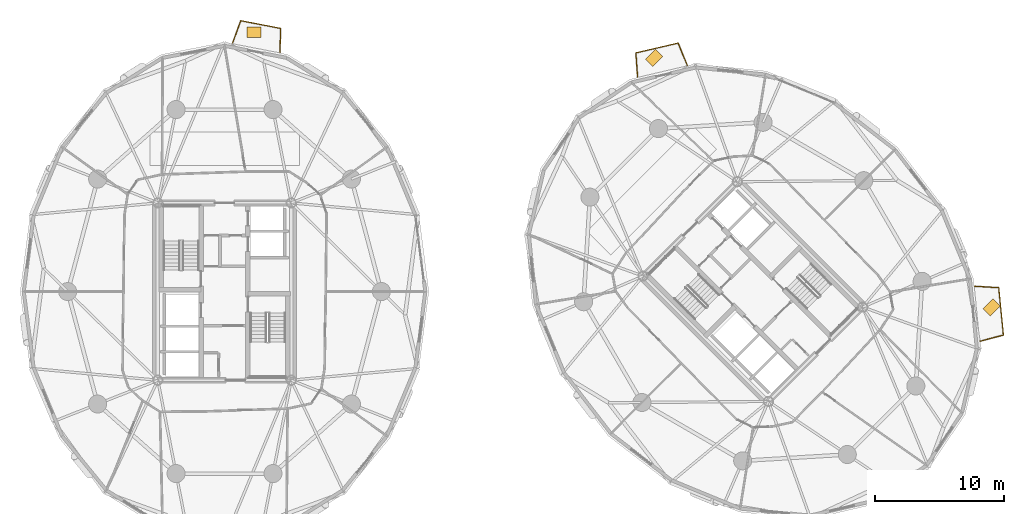
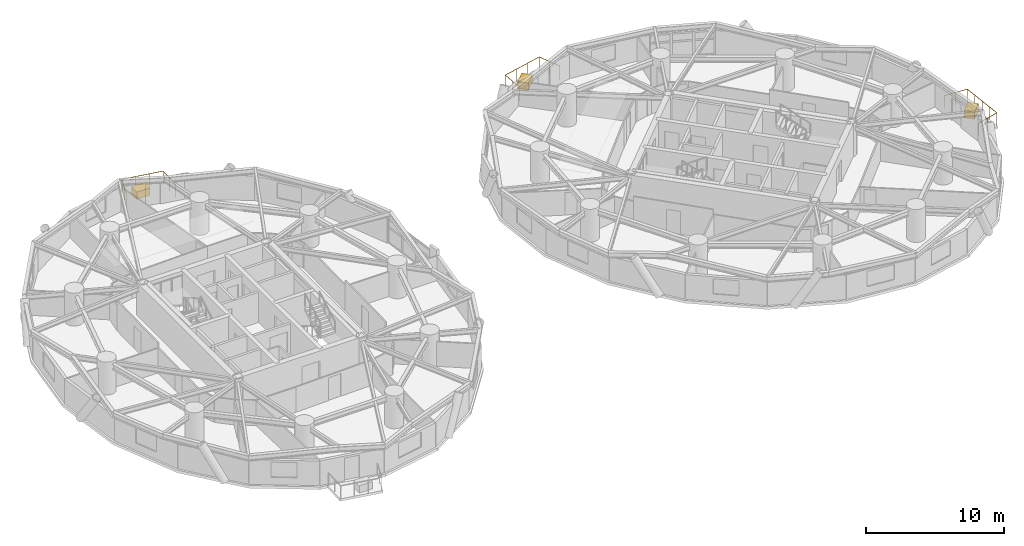
# One storey, part 17 of 17: 3 coverings, 3 railings.
"""IFC4 building model written with IfcOpenShell, lengths in metres."""

from ifc_helpers import new_model, si_unit, direction, frame, origin, origin_2d, place, context, subcontext, project, spatial, rectangle, circle, extrude, source, transform, mapped, material, layer, layer_set, type_object, element, save


model = new_model("IFC4")

# Units and contexts
model_context = context("Model", 3, precision=1e-05, world=origin(), true_north=direction((0.0, 1.0)))
body_context = subcontext(model_context, "Body", "Model", "MODEL_VIEW")
ifc_project = project(units=[si_unit("LENGTHUNIT", "METRE"), si_unit("AREAUNIT", "SQUARE_METRE"), si_unit("VOLUMEUNIT", "CUBIC_METRE"), si_unit("PLANEANGLEUNIT", "RADIAN"), si_unit("MASSUNIT", "GRAM", prefix="KILO")], contexts=[model_context])

# Site, building, storey
site_placement = place(None, origin())
site = spatial("IfcSite", under=ifc_project, at=site_placement, CompositionType="ELEMENT")
building_placement = place(site_placement, origin())
building = spatial("IfcBuilding", under=site, at=building_placement, Name="Cununo Teusaquillo Station Towers", CompositionType="ELEMENT")
storey_placement = place(building_placement, frame((0.0, 0.0, 96.340087890625)))
storey = spatial("IfcBuildingStorey", under=building, at=storey_placement, Name="L30", CompositionType="ELEMENT", Elevation=96.340087890625)

# Railings
ifc_material_1 = material(Name="Anodised dark bronze aluminium EN AW-6063-T6", Category="aluminium")
railing_type_1 = type_object("IfcRailingType", Name="RL-EXT-BALUS", PredefinedType="BALUSTRADE", material=ifc_material_1)
railing_1_placement = place(storey_placement, frame((17.1181640625, 43.771728515625, 0.0)))
element("IfcRailing", 1, at=railing_1_placement, inside=storey, type_object=railing_type_1, Name="L30 Tower A Balcony Guardrail C04", PredefinedType="BALUSTRADE", context=body_context, shape_type="SweptSolid", body=[
    extrude(circle(Radius=0.02392578125, at=origin_2d()), frame((0.0, 0.0, 1.17578125), z_axis=(0.343962021681, 0.9389835609, 0.0), x_axis=(-0.9389835609, 0.343962021681, 0.0)), (0.0, 0.0, 1.0), 1.86328125),
    extrude(circle(Radius=0.02392578125, at=origin_2d()), frame((0.640869140625, 1.74951171875, 1.17578125), z_axis=(0.981834317938, -0.189740275429, 0.0), x_axis=(0.189740275429, 0.981834317938, 0.0)), (0.0, 0.0, 1.0), 3.15380859375),
    extrude(circle(Radius=0.02392578125, at=origin_2d()), frame((3.7373046875, 1.151123046875, 1.17578125), z_axis=(-0.030662031384, -0.999529809376, 0.0), x_axis=(0.999529809376, -0.030662031384, 0.0)), (0.0, 0.0, 1.0), 1.86328125),
    extrude(circle(Radius=0.02099609375, at=origin_2d()), origin(), (0.0, 0.0, 1.0), 1.15185546875),
    extrude(circle(Radius=0.02099609375, at=origin_2d()), frame((0.3203125, 0.874755859375, 0.0)), (0.0, 0.0, 1.0), 1.15185546875),
    extrude(circle(Radius=0.02099609375, at=origin_2d()), frame((0.640869140625, 1.74951171875, 0.0)), (0.0, 0.0, 1.0), 1.15185546875),
    extrude(circle(Radius=0.02099609375, at=origin_2d()), frame((1.673095703125, 1.550048828125, 0.0)), (0.0, 0.0, 1.0), 1.15185546875),
    extrude(circle(Radius=0.02099609375, at=origin_2d()), frame((2.705078125, 1.3505859375, 0.0)), (0.0, 0.0, 1.0), 1.15185546875),
    extrude(circle(Radius=0.02099609375, at=origin_2d()), frame((3.7373046875, 1.151123046875, 0.0)), (0.0, 0.0, 1.0), 1.15185546875),
    extrude(circle(Radius=0.02099609375, at=origin_2d()), frame((3.708740234375, 0.219970703125, 0.0)), (0.0, 0.0, 1.0), 1.15185546875),
    extrude(circle(Radius=0.02099609375, at=origin_2d()), frame((3.68017578125, -0.711181640625, 0.0)), (0.0, 0.0, 1.0), 1.15185546875),
])
railing_2_placement = place(storey_placement, frame((48.55029296875, 41.15771484375, 0.0)))
element("IfcRailing", 2, at=railing_2_placement, inside=storey, type_object=railing_type_1, Name="L30 Tower B Balcony Guardrail C03", PredefinedType="BALUSTRADE", context=body_context, shape_type="SweptSolid", body=[
    extrude(circle(Radius=0.02392578125, at=origin_2d()), frame((0.0, 0.0, 1.17578125), z_axis=(-0.069053440488, 0.997612962204, 0.0), x_axis=(-0.997612962204, -0.069053440488, 0.0)), (0.0, 0.0, 1.0), 1.86669921875),
    extrude(circle(Radius=0.02392578125, at=origin_2d()), frame((-0.12890625, 1.8623046875, 1.17578125), z_axis=(0.973836929395, 0.227247959168, 0.0), x_axis=(-0.227247959168, 0.973836929395, 0.0)), (0.0, 0.0, 1.0), 3.365966796875),
    extrude(circle(Radius=0.02392578125, at=origin_2d()), frame((3.14892578125, 2.627197265625, 1.17578125), z_axis=(0.379585063145, -0.925156840669, 0.0), x_axis=(0.925156840669, 0.379585063145, 0.0)), (0.0, 0.0, 1.0), 1.866455078125),
    extrude(circle(Radius=0.02099609375, at=origin_2d()), origin(), (0.0, 0.0, 1.0), 1.15185546875),
    extrude(circle(Radius=0.02099609375, at=origin_2d()), frame((-0.064453125, 0.93115234375, 0.0)), (0.0, 0.0, 1.0), 1.15185546875),
    extrude(circle(Radius=0.02099609375, at=origin_2d()), frame((-0.12890625, 1.8623046875, 0.0)), (0.0, 0.0, 1.0), 1.15185546875),
    extrude(circle(Radius=0.02099609375, at=origin_2d()), frame((0.963623046875, 2.1171875, 0.0)), (0.0, 0.0, 1.0), 1.15185546875),
    extrude(circle(Radius=0.02099609375, at=origin_2d()), frame((2.056396484375, 2.372314453125, 0.0)), (0.0, 0.0, 1.0), 1.15185546875),
    extrude(circle(Radius=0.02099609375, at=origin_2d()), frame((3.14892578125, 2.627197265625, 0.0)), (0.0, 0.0, 1.0), 1.15185546875),
    extrude(circle(Radius=0.02099609375, at=origin_2d()), frame((3.503173828125, 1.763671875, 0.0)), (0.0, 0.0, 1.0), 1.15185546875),
    extrude(circle(Radius=0.02099609375, at=origin_2d()), frame((3.857421875, 0.900390625, 0.0)), (0.0, 0.0, 1.0), 1.15185546875),
])
ifc_material_2 = material(Name="Anodised dark bronze aluminium EN AW-6063-T6", Category="aluminium")
railing_type_2 = type_object("IfcRailingType", Name="RL-EXT-GUARD", PredefinedType="GUARDRAIL", material=ifc_material_2)
railing_3_placement = place(storey_placement, frame((74.7138671875, 24.914306640625, 0.0)))
element("IfcRailing", 3, at=railing_3_placement, inside=storey, type_object=railing_type_2, Name="L30 Tower B Balcony Guardrail C17", PredefinedType="GUARDRAIL", context=body_context, shape_type="SweptSolid", body=[
    extrude(circle(Radius=0.02392578125, at=origin_2d()), frame((0.0, 0.0, 1.1259765625), z_axis=(0.998126483753, -0.061184331575, 0.0), x_axis=(0.061184331575, 0.998126483753, 0.0)), (0.0, 0.0, 1.0), 1.871337890625),
    extrude(circle(Radius=0.02392578125, at=origin_2d()), frame((1.867919921875, -0.114501953125, 1.1259765625), z_axis=(0.098593628704, -0.99512777892, 0.0), x_axis=(0.99512777892, 0.098593628704, 0.0)), (0.0, 0.0, 1.0), 3.692138671875),
    extrude(circle(Radius=0.02392578125, at=origin_2d()), frame((2.23193359375, -3.78857421875, 1.1259765625), z_axis=(-0.966720413281, -0.255835186295, 0.0), x_axis=(0.255835186295, -0.966720413281, 0.0)), (0.0, 0.0, 1.0), 1.871337890625),
    extrude(circle(Radius=0.02099609375, at=origin_2d()), origin(), (0.0, 0.0, 1.0), 1.101806640625),
    extrude(circle(Radius=0.02099609375, at=origin_2d()), frame((0.93408203125, -0.05712890625, 0.0)), (0.0, 0.0, 1.0), 1.101806640625),
    extrude(circle(Radius=0.02099609375, at=origin_2d()), frame((1.867919921875, -0.114501953125, 0.0)), (0.0, 0.0, 1.0), 1.101806640625),
    extrude(circle(Radius=0.02099609375, at=origin_2d()), frame((1.958984375, -1.032958984375, 0.0)), (0.0, 0.0, 1.0), 1.101806640625),
    extrude(circle(Radius=0.02099609375, at=origin_2d()), frame((2.0498046875, -1.95166015625, 0.0)), (0.0, 0.0, 1.0), 1.101806640625),
    extrude(circle(Radius=0.02099609375, at=origin_2d()), frame((2.140869140625, -2.8701171875, 0.0)), (0.0, 0.0, 1.0), 1.101806640625),
    extrude(circle(Radius=0.02099609375, at=origin_2d()), frame((2.23193359375, -3.78857421875, 0.0)), (0.0, 0.0, 1.0), 1.101806640625),
    extrude(circle(Radius=0.02099609375, at=origin_2d()), frame((1.327392578125, -4.02783203125, 0.0)), (0.0, 0.0, 1.0), 1.101806640625),
    extrude(circle(Radius=0.02099609375, at=origin_2d()), frame((0.4228515625, -4.267333984375, 0.0)), (0.0, 0.0, 1.0), 1.101806640625),
])

# Coverings
ifc_material_3 = material(Name="Architectural GRC planter shell and engineered root-zone substrate", Category="concrete")
ifc_layer = layer(ifc_material_3, 0.64990234375)
ifc_layer_set = layer_set([ifc_layer], Name="Architectural GRC planter shell and engineered root-zone substrate")
covering_type = type_object("IfcCoveringType", Name="COV-TREE-PLANTER", PredefinedType="CLADDING", material=ifc_layer_set)
shared_shape = source(origin(), body_context, "Body", "SweptSolid", [
    extrude(rectangle(XDim=1.10009765625, YDim=0.800048828125, at=origin_2d()), origin(), (0.0, 0.0, 1.0), 0.64990234375),
])
for number, where, z_axis, x_axis, name in (
    (4, (18.7978515625, 44.614501953125, 0.0), (0.0, 0.0, 1.0), (1.0, 0.0, 0.0), "L30 Tower A Balcony Tree PLANTER C04"),
    (5, (49.84326171875, 42.63818359375, 0.0), (0.0, 0.0, 1.0), (0.707106781187, 0.707106781187, 0.0), "L30 Tower B Balcony Tree PLANTER C03"),
    (6, (76.031494140625, 23.277099609375, 0.0), (0.0, 0.0, 1.0), (0.707106781187, 0.707106781187, 0.0), "L30 Tower B Balcony Tree PLANTER C17"),
):
    element("IfcCovering", number, at=place(storey_placement, frame(where, z_axis=z_axis, x_axis=x_axis)), inside=storey, type_object=covering_type, Name=name, PredefinedType="CLADDING", context=body_context, shape_type="MappedRepresentation", body=[
        mapped(shared_shape, transform((0.0, 0.0, 0.0), x_axis=(1.0, 0.0, 0.0), y_axis=(0.0, 1.0, 0.0), z_axis=(0.0, 0.0, 1.0), scale=1.0)),
    ])

save(model, "model.ifc")
